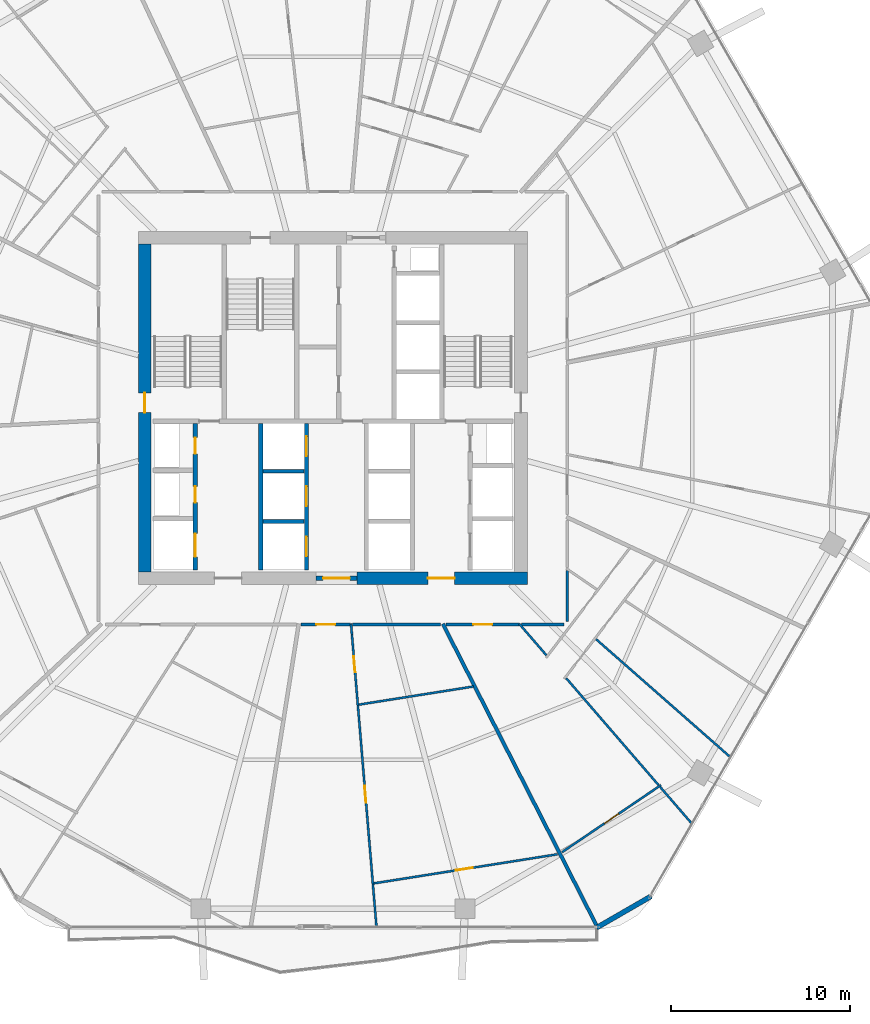
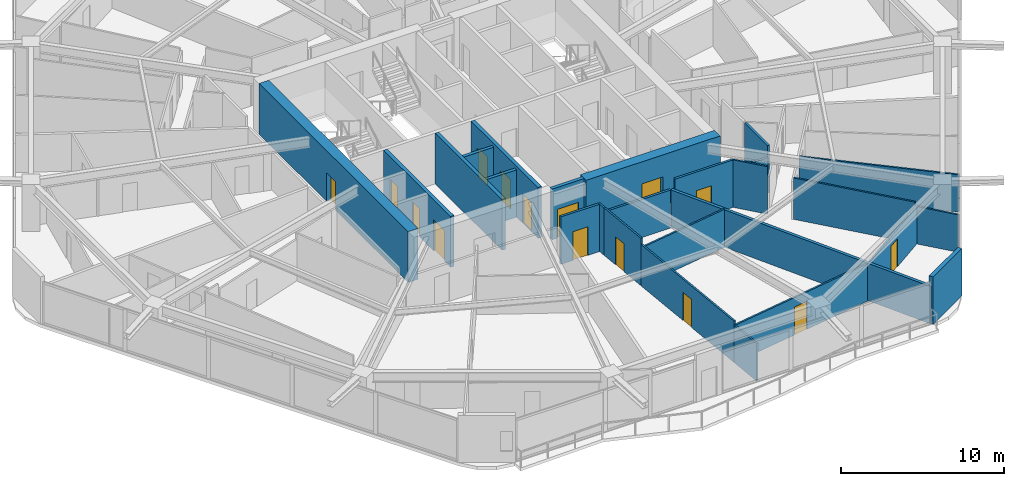
# One storey, part 25 of 33: 26 walls, 15 doors, 15 openings.
"""IFC4 building model written with IfcOpenShell, lengths in metres."""

from ifc_helpers import new_model, si_unit, direction, frame, frame_2d, origin, place, context, subcontext, project, spatial, rectangle, extrude, material, layer, layer_set, type_object, element, fill, save


model = new_model("IFC4")

# Units and contexts
model_context = context("Model", 3, precision=1e-05, world=origin(), true_north=direction((0.0, 1.0)))
body_context = subcontext(model_context, "Body", "Model", "MODEL_VIEW")
ifc_project = project(units=[si_unit("LENGTHUNIT", "METRE"), si_unit("AREAUNIT", "SQUARE_METRE"), si_unit("VOLUMEUNIT", "CUBIC_METRE"), si_unit("PLANEANGLEUNIT", "RADIAN"), si_unit("MASSUNIT", "GRAM", prefix="KILO")], contexts=[model_context])

# Site, building, storey
site_placement = place(None, origin())
site = spatial("IfcSite", under=ifc_project, at=site_placement, CompositionType="ELEMENT")
building_placement = place(site_placement, origin())
building = spatial("IfcBuilding", under=site, at=building_placement, Name="Zuhravey Tower", CompositionType="ELEMENT")
storey_placement = place(building_placement, frame((0.0, 0.0, 126.60009765625)))
storey = spatial("IfcBuildingStorey", under=building, at=storey_placement, Name="L31", CompositionType="ELEMENT", Elevation=126.60009765625)

# Wall, opening, door
ifc_material_1 = material(Name="Concrete C60/75", Category="concrete")
ifc_layer_1 = layer(ifc_material_1, 0.699951171875)
ifc_layer_set_1 = layer_set([ifc_layer_1], Name="Concrete C60/75")
wall_type_1 = type_object("IfcWallType", Name="Core Shear Wall 700", PredefinedType="SHEAR", material=ifc_layer_set_1)
wall_1_placement = place(storey_placement, frame((37.35009765625, 22.5, 0.0), z_axis=(0.0, 0.0, 1.0), x_axis=(1.0, 0.0, 0.0)))
wall_1 = element("IfcWall", 1, at=wall_1_placement, inside=storey, type_object=wall_type_1, Name="L31 South-East Core Shear Wall CW70", PredefinedType="SHEAR", context=body_context, shape_type="SweptSolid", body=[
    extrude(rectangle(XDim=9.5, YDim=0.699951171875, at=frame_2d((4.75, 0.0))), origin(), (0.0, 0.0, 1.0), 3.7998046875),
])
opening_1_placement = place(wall_1_placement, frame((3.949951171875, 0.0, 0.0)))
opening_1 = element("IfcOpeningElement", 2, at=opening_1_placement, cuts=wall_1, Name="Opening FFD1", PredefinedType="OPENING", context=body_context, shape_type="SweptSolid", body=[
    extrude(rectangle(XDim=1.5, YDim=2.14990234375, at=frame_2d((0.75, 1.074951171875))), frame((0.0, 0.362060546875, 0.0), z_axis=(0.0, -1.0, 0.0), x_axis=(1.0, 0.0, 0.0)), (0.0, 0.0, 1.0), 0.723876953125),
])
ifc_material_2 = material(Name="Galvanised fire-rated steel leaf", Category="steel")
door_type_1 = type_object("IfcDoorType", Name="Firefighting Lobby Double Door 1500x2150", OperationType="DOUBLE_DOOR_SINGLE_SWING", PredefinedType="DOOR", material=ifc_material_2)
door_1_placement = place(opening_1_placement, origin())
door_1 = element("IfcDoor", 3, at=door_1_placement, inside=storey, type_object=door_type_1, Name="L31 Firefighting Lobby East Door", OperationType="DOUBLE_DOOR_SINGLE_SWING", OverallHeight=2.14990234375, OverallWidth=1.5, PredefinedType="DOOR", context=body_context, shape_type="SweptSolid", body=[
    extrude(rectangle(XDim=1.5, YDim=2.14990234375, at=frame_2d((0.75, 1.074951171875))), frame((0.0, 0.02490234375, 0.0), z_axis=(0.0, -1.0, 0.0), x_axis=(1.0, 0.0, 0.0)), (0.0, 0.0, 1.0), 0.050048828125),
])
fill(opening_1, door_1)

wall_2_placement = place(storey_placement, frame((25.5, 22.85009765625, 0.0), z_axis=(0.0, 0.0, 1.0), x_axis=(0.0, 1.0, 0.0)))
wall_2 = element("IfcWall", 4, at=wall_2_placement, inside=storey, type_object=wall_type_1, Name="L31 West Core Shear Wall CW70", PredefinedType="SHEAR", context=body_context, shape_type="SweptSolid", body=[
    extrude(rectangle(XDim=18.2998046875, YDim=0.699951171875, at=frame_2d((9.14990234375, 0.0))), origin(), (0.0, 0.0, 1.0), 3.7998046875),
])
opening_2_placement = place(wall_2_placement, frame((8.89990234375, 0.0, 0.0)))
opening_2 = element("IfcOpeningElement", 5, at=opening_2_placement, cuts=wall_2, Name="Opening STD1", PredefinedType="OPENING", context=body_context, shape_type="SweptSolid", body=[
    extrude(rectangle(XDim=1.10009765625, YDim=2.14990234375, at=frame_2d((0.550048828125, 1.074951171875))), frame((0.0, 0.362060546875, 0.0), z_axis=(0.0, -1.0, 0.0), x_axis=(1.0, 0.0, 0.0)), (0.0, 0.0, 1.0), 0.723876953125),
])
door_type_2 = type_object("IfcDoorType", Name="Protected Stair Fire Door 1100x2150", OperationType="NOTDEFINED", PredefinedType="USERDEFINED", material=ifc_material_2)
door_2_placement = place(opening_2_placement, frame((1.10009765625, 0.0, 0.0), z_axis=(0.0, 0.0, 1.0), x_axis=(-1.0, 0.0, 0.0)))
door_2 = element("IfcDoor", 6, at=door_2_placement, inside=storey, type_object=door_type_2, Name="L31 Stair ST1 Door", ObjectType="EXITDOOR", OperationType="SINGLE_SWING_LEFT", OverallHeight=2.14990234375, OverallWidth=1.10009765625, PredefinedType="USERDEFINED", context=body_context, shape_type="SweptSolid", body=[
    extrude(rectangle(XDim=1.10009765625, YDim=2.14990234375, at=frame_2d((0.550048828125, 1.074951171875))), frame((0.0, 0.02490234375, 0.0), z_axis=(0.0, -1.0, 0.0), x_axis=(1.0, 0.0, 0.0)), (0.0, 0.0, 1.0), 0.050048828125),
])
fill(opening_2, door_2)

ifc_material_3 = material(Name="Gypsum fire-rated stud partition")
ifc_layer_2 = layer(ifc_material_3, 0.159912109375)
ifc_layer_set_2 = layer_set([ifc_layer_2], Name="Gypsum fire-rated stud partition")
wall_type_2 = type_object("IfcWallType", Name="Corridor Fire Partition 160", PredefinedType="PARTITIONING", material=ifc_layer_set_2)
wall_3_placement = place(storey_placement, frame((34.21484375, 19.919921875, 0.0), z_axis=(0.0, 0.0, 1.0), x_axis=(1.0, 0.0, 0.0)))
wall_3 = element("IfcWall", 7, at=wall_3_placement, inside=storey, type_object=wall_type_2, Name="L31 IW16 Partition 058", PredefinedType="PARTITIONING", context=body_context, shape_type="SweptSolid", body=[
    extrude(rectangle(XDim=2.779541015625, YDim=0.159912109375, at=frame_2d((1.3896484375, 0.0))), origin(), (0.0, 0.0, 1.0), 3.5498046875),
])
opening_3_placement = place(wall_3_placement, frame((0.86474609375, 0.0, 0.0)))
opening_3 = element("IfcOpeningElement", 8, at=opening_3_placement, cuts=wall_3, Name="Opening APD1", PredefinedType="OPENING", context=body_context, shape_type="SweptSolid", body=[
    extrude(rectangle(XDim=1.050048828125, YDim=2.14990234375, at=frame_2d((0.52490234375, 1.074951171875))), frame((0.0, 0.092041015625, 0.0), z_axis=(0.0, -1.0, 0.0), x_axis=(1.0, 0.0, 0.0)), (0.0, 0.0, 1.0), 0.183837890625),
])
ifc_material_4 = material(Name="Solid-core oak fire-rated leaf")
door_type_3 = type_object("IfcDoorType", Name="Apartment Entrance Fire Door 1050x2150", OperationType="NOTDEFINED", PredefinedType="DOOR", material=ifc_material_4)
door_3_placement = place(opening_3_placement, frame((1.050048828125, 0.0, 0.0), z_axis=(0.0, 0.0, 1.0), x_axis=(-1.0, 0.0, 0.0)))
door_3 = element("IfcDoor", 9, at=door_3_placement, inside=storey, type_object=door_type_3, Name="L31 Door 058.1", OperationType="SINGLE_SWING_RIGHT", OverallHeight=2.14990234375, OverallWidth=1.050048828125, PredefinedType="DOOR", context=body_context, shape_type="SweptSolid", body=[
    extrude(rectangle(XDim=1.050048828125, YDim=2.14990234375, at=frame_2d((0.52490234375, 1.074951171875))), frame((0.0, 0.02490234375, 0.0), z_axis=(0.0, -1.0, 0.0), x_axis=(1.0, 0.0, 0.0)), (0.0, 0.0, 1.0), 0.050048828125),
])
fill(opening_3, door_3)

wall_4_placement = place(storey_placement, frame((42.31103515625, 19.919921875, 0.0), z_axis=(0.0, 0.0, 1.0), x_axis=(1.0, 0.0, 0.0)))
wall_4 = element("IfcWall", 10, at=wall_4_placement, inside=storey, type_object=wall_type_2, Name="L31 IW16 Partition 062", PredefinedType="PARTITIONING", context=body_context, shape_type="SweptSolid", body=[
    extrude(rectangle(XDim=4.09716796875, YDim=0.159912109375, at=frame_2d((2.048583984375, 0.0))), origin(), (0.0, 0.0, 1.0), 3.5498046875),
])
opening_4_placement = place(wall_4_placement, frame((1.5234375, 0.0, 0.0)))
opening_4 = element("IfcOpeningElement", 11, at=opening_4_placement, cuts=wall_4, Name="Opening APD1", PredefinedType="OPENING", context=body_context, shape_type="SweptSolid", body=[
    extrude(rectangle(XDim=1.050048828125, YDim=2.14990234375, at=frame_2d((0.52490234375, 1.074951171875))), frame((0.0, 0.092041015625, 0.0), z_axis=(0.0, -1.0, 0.0), x_axis=(1.0, 0.0, 0.0)), (0.0, 0.0, 1.0), 0.183837890625),
])
door_4_placement = place(opening_4_placement, frame((1.050048828125, 0.0, 0.0), z_axis=(0.0, 0.0, 1.0), x_axis=(-1.0, 0.0, 0.0)))
door_4 = element("IfcDoor", 12, at=door_4_placement, inside=storey, type_object=door_type_3, Name="L31 Door 062.1", OperationType="SINGLE_SWING_LEFT", OverallHeight=2.14990234375, OverallWidth=1.050048828125, PredefinedType="DOOR", context=body_context, shape_type="SweptSolid", body=[
    extrude(rectangle(XDim=1.050048828125, YDim=2.14990234375, at=frame_2d((0.52490234375, 1.074951171875))), frame((0.0, 0.02490234375, 0.0), z_axis=(0.0, -1.0, 0.0), x_axis=(1.0, 0.0, 0.0)), (0.0, 0.0, 1.0), 0.050048828125),
])
fill(opening_4, door_4)

# Walls
wall_5_placement = place(storey_placement, frame((37.08251953125, 19.919921875, 0.0), z_axis=(0.0, 0.0, 1.0), x_axis=(1.0, 0.0, 0.0)))
element("IfcWall", 13, at=wall_5_placement, inside=storey, type_object=wall_type_2, Name="L31 IW16 Partition 139", PredefinedType="PARTITIONING", context=body_context, shape_type="SweptSolid", body=[
    extrude(rectangle(XDim=4.91796875, YDim=0.159912109375, at=frame_2d((2.458984375, 0.0))), origin(), (0.0, 0.0, 1.0), 2.849853515625),
])
wall_6_placement = place(storey_placement, frame((49.080078125, 20.10009765625, 0.0), z_axis=(0.0, 0.0, 1.0), x_axis=(0.0, 1.0, 0.0)))
element("IfcWall", 14, at=wall_6_placement, inside=storey, type_object=wall_type_2, Name="L31 IW16 Partition 140", PredefinedType="PARTITIONING", context=body_context, shape_type="SweptSolid", body=[
    extrude(rectangle(XDim=2.828369140625, YDim=0.159912109375, at=frame_2d((1.4140625, 0.0))), origin(), (0.0, 0.0, 1.0), 3.5498046875),
])
wall_7_placement = place(storey_placement, frame((46.5244140625, 19.919921875, 0.0), z_axis=(0.0, 0.0, 1.0), x_axis=(1.0, 0.0, 0.0)))
element("IfcWall", 15, at=wall_7_placement, inside=storey, type_object=wall_type_2, Name="L31 IW16 Partition 141", PredefinedType="PARTITIONING", context=body_context, shape_type="SweptSolid", body=[
    extrude(rectangle(XDim=2.37548828125, YDim=0.159912109375, at=frame_2d((1.187744140625, 0.0))), origin(), (0.0, 0.0, 1.0), 2.849853515625),
])
ifc_material_5 = material(Name="Precast concrete C40/50", Category="concrete")
ifc_layer_3 = layer(ifc_material_5, 0.280029296875)
ifc_layer_set_3 = layer_set([ifc_layer_3], Name="Precast concrete C40/50")
wall_type_3 = type_object("IfcWallType", Name="Crown Architectural Wall 280", PredefinedType="SOLIDWALL", material=ifc_layer_set_3)
wall_8_placement = place(storey_placement, frame((53.76123046875, 4.75146484375, 0.0), z_axis=(0.0, 0.0, 1.0), x_axis=(-0.866007452331, -0.500031091541, 0.0)))
element("IfcWall", 16, at=wall_8_placement, inside=storey, type_object=wall_type_3, Name="L31 Rounded Corner Closure Wall EW28-02", PredefinedType="SOLIDWALL", context=body_context, shape_type="SweptSolid", body=[
    extrude(rectangle(XDim=3.514892578125, YDim=0.280029296875, at=frame_2d((1.75732421875, 0.0))), origin(), (0.0, 0.0, 1.0), 3.5498046875),
])

# Wall, opening, door
ifc_material_6 = material(Name="Concrete C50/60", Category="concrete")
ifc_layer_4 = layer(ifc_material_6, 0.25)
ifc_layer_set_4 = layer_set([ifc_layer_4], Name="Concrete C50/60")
wall_type_4 = type_object("IfcWallType", Name="Firefighting Shaft & Stair Wall 250", PredefinedType="SOLIDWALL", material=ifc_layer_set_4)
wall_9_placement = place(storey_placement, frame((35.06005859375, 22.5, 0.0), z_axis=(0.0, 0.0, 1.0), x_axis=(1.0, 0.0, 0.0)))
wall_9 = element("IfcWall", 17, at=wall_9_placement, inside=storey, type_object=wall_type_4, Name="L31 FW25 Shaft Wall 001", PredefinedType="SOLIDWALL", context=body_context, shape_type="SweptSolid", body=[
    extrude(rectangle(XDim=2.280029296875, YDim=0.25, at=frame_2d((1.14013671875, 0.0))), origin(), (0.0, 0.0, 1.0), 3.7998046875),
])
opening_5_placement = place(wall_9_placement, frame((0.389892578125, 0.0, 0.0)))
opening_5 = element("IfcOpeningElement", 18, at=opening_5_placement, cuts=wall_9, Name="Opening FFD1", PredefinedType="OPENING", context=body_context, shape_type="SweptSolid", body=[
    extrude(rectangle(XDim=1.5, YDim=2.14990234375, at=frame_2d((0.75, 1.074951171875))), frame((0.0, 0.136962890625, 0.0), z_axis=(0.0, -1.0, 0.0), x_axis=(1.0, 0.0, 0.0)), (0.0, 0.0, 1.0), 0.27392578125),
])
door_5_placement = place(opening_5_placement, frame((1.5, 0.0, 0.0), z_axis=(0.0, 0.0, 1.0), x_axis=(-1.0, 0.0, 0.0)))
door_5 = element("IfcDoor", 19, at=door_5_placement, inside=storey, type_object=door_type_1, Name="L31 South Lift Lobby Exit Door", OperationType="DOUBLE_DOOR_SINGLE_SWING", OverallHeight=2.14990234375, OverallWidth=1.5, PredefinedType="DOOR", context=body_context, shape_type="SweptSolid", body=[
    extrude(rectangle(XDim=1.5, YDim=2.14990234375, at=frame_2d((0.75, 1.074951171875))), frame((0.0, 0.02490234375, 0.0), z_axis=(0.0, -1.0, 0.0), x_axis=(1.0, 0.0, 0.0)), (0.0, 0.0, 1.0), 0.050048828125),
])
fill(opening_5, door_5)

# Wall, openings, doors
wall_10_placement = place(storey_placement, frame((28.324951171875, 22.949951171875, 0.0), z_axis=(0.0, 0.0, 1.0), x_axis=(0.0, 1.0, 0.0)))
wall_10 = element("IfcWall", 20, at=wall_10_placement, inside=storey, type_object=wall_type_4, Name="L31 FW25 Shaft Wall 011", PredefinedType="SOLIDWALL", context=body_context, shape_type="SweptSolid", body=[
    extrude(rectangle(XDim=8.199951171875, YDim=0.25, at=frame_2d((4.10009765625, 0.0))), origin(), (0.0, 0.0, 1.0), 3.7998046875),
])
opening_6_placement = place(wall_10_placement, frame((0.75, 0.0, 0.0)))
opening_6 = element("IfcOpeningElement", 21, at=opening_6_placement, cuts=wall_10, Name="Opening LD2", PredefinedType="OPENING", context=body_context, shape_type="SweptSolid", body=[
    extrude(rectangle(XDim=1.300048828125, YDim=2.300048828125, at=frame_2d((0.64990234375, 1.14990234375))), frame((0.0, 0.136962890625, 0.0), z_axis=(0.0, -1.0, 0.0), x_axis=(1.0, 0.0, 0.0)), (0.0, 0.0, 1.0), 0.27392578125),
])
opening_7_placement = place(wall_10_placement, frame((3.780029296875, 0.0, 0.0)))
opening_7 = element("IfcOpeningElement", 22, at=opening_7_placement, cuts=wall_10, Name="Opening RSD1", PredefinedType="OPENING", context=body_context, shape_type="SweptSolid", body=[
    extrude(rectangle(XDim=0.89990234375, YDim=2.10009765625, at=frame_2d((0.449951171875, 1.050048828125))), frame((0.0, 0.136962890625, 0.0), z_axis=(0.0, -1.0, 0.0), x_axis=(1.0, 0.0, 0.0)), (0.0, 0.0, 1.0), 0.27392578125),
])
opening_8_placement = place(wall_10_placement, frame((6.5, 0.0, 0.0)))
opening_8 = element("IfcOpeningElement", 23, at=opening_8_placement, cuts=wall_10, Name="Opening RSD1", PredefinedType="OPENING", context=body_context, shape_type="SweptSolid", body=[
    extrude(rectangle(XDim=0.89990234375, YDim=2.10009765625, at=frame_2d((0.449951171875, 1.050048828125))), frame((0.0, 0.136962890625, 0.0), z_axis=(0.0, -1.0, 0.0), x_axis=(1.0, 0.0, 0.0)), (0.0, 0.0, 1.0), 0.27392578125),
])
ifc_material_7 = material(Name="Brushed stainless steel", Category="steel")
door_type_4 = type_object("IfcDoorType", Name="Freight & Stretcher Lift Sliding Door 1300x2300", OperationType="DOUBLE_DOOR_SLIDING", PredefinedType="DOOR", material=ifc_material_7)
door_6_placement = place(opening_6_placement, frame((1.300048828125, 0.0, 0.0), z_axis=(0.0, 0.0, 1.0), x_axis=(-1.0, 0.0, 0.0)))
door_6 = element("IfcDoor", 24, at=door_6_placement, inside=storey, type_object=door_type_4, Name="L31 Lift FF1 Landing Door", OperationType="DOUBLE_DOOR_SLIDING", OverallHeight=2.300048828125, OverallWidth=1.300048828125, PredefinedType="DOOR", context=body_context, shape_type="SweptSolid", body=[
    extrude(rectangle(XDim=1.300048828125, YDim=2.300048828125, at=frame_2d((0.64990234375, 1.14990234375))), frame((0.0, 0.02490234375, 0.0), z_axis=(0.0, -1.0, 0.0), x_axis=(1.0, 0.0, 0.0)), (0.0, 0.0, 1.0), 0.050048828125),
])
fill(opening_6, door_6)
ifc_material_8 = material(Name="Galvanised fire-rated steel access leaf", Category="steel")
door_type_5 = type_object("IfcDoorType", Name="Riser & Shaft Access Fire Door 900x2100", OperationType="NOTDEFINED", PredefinedType="DOOR", material=ifc_material_8)
door_7_placement = place(opening_7_placement, frame((0.89990234375, 0.0, 0.0), z_axis=(0.0, 0.0, 1.0), x_axis=(-1.0, 0.0, 0.0)))
door_7 = element("IfcDoor", 25, at=door_7_placement, inside=storey, type_object=door_type_5, Name="L31 Electrical Riser Door", OperationType="SINGLE_SWING_RIGHT", OverallHeight=2.10009765625, OverallWidth=0.89990234375, PredefinedType="DOOR", context=body_context, shape_type="SweptSolid", body=[
    extrude(rectangle(XDim=0.89990234375, YDim=2.10009765625, at=frame_2d((0.449951171875, 1.050048828125))), frame((0.0, 0.02490234375, 0.0), z_axis=(0.0, -1.0, 0.0), x_axis=(1.0, 0.0, 0.0)), (0.0, 0.0, 1.0), 0.050048828125),
])
fill(opening_7, door_7)
door_8_placement = place(opening_8_placement, frame((0.89990234375, 0.0, 0.0), z_axis=(0.0, 0.0, 1.0), x_axis=(-1.0, 0.0, 0.0)))
door_8 = element("IfcDoor", 26, at=door_8_placement, inside=storey, type_object=door_type_5, Name="L31 Smoke Shaft Access Door", OperationType="SINGLE_SWING_LEFT", OverallHeight=2.10009765625, OverallWidth=0.89990234375, PredefinedType="DOOR", context=body_context, shape_type="SweptSolid", body=[
    extrude(rectangle(XDim=0.89990234375, YDim=2.10009765625, at=frame_2d((0.449951171875, 1.050048828125))), frame((0.0, 0.02490234375, 0.0), z_axis=(0.0, -1.0, 0.0), x_axis=(1.0, 0.0, 0.0)), (0.0, 0.0, 1.0), 0.050048828125),
])
fill(opening_8, door_8)

# Wall
wall_11_placement = place(storey_placement, frame((31.97509765625, 22.949951171875, 0.0), z_axis=(0.0, 0.0, 1.0), x_axis=(0.0, 1.0, 0.0)))
element("IfcWall", 27, at=wall_11_placement, inside=storey, type_object=wall_type_4, Name="L31 FW25 Shaft Wall 012", PredefinedType="SOLIDWALL", context=body_context, shape_type="SweptSolid", body=[
    extrude(rectangle(XDim=8.199951171875, YDim=0.25, at=frame_2d((4.10009765625, 0.0))), origin(), (0.0, 0.0, 1.0), 3.7998046875),
])

# Wall, openings, doors
wall_12_placement = place(storey_placement, frame((34.52490234375, 22.949951171875, 0.0), z_axis=(0.0, 0.0, 1.0), x_axis=(0.0, 1.0, 0.0)))
wall_12 = element("IfcWall", 28, at=wall_12_placement, inside=storey, type_object=wall_type_4, Name="L31 FW25 Shaft Wall 013", PredefinedType="SOLIDWALL", context=body_context, shape_type="SweptSolid", body=[
    extrude(rectangle(XDim=8.199951171875, YDim=0.25, at=frame_2d((4.10009765625, 0.0))), origin(), (0.0, 0.0, 1.0), 3.7998046875),
])
opening_9_placement = place(wall_12_placement, frame((0.77490234375, 0.0, 0.0)))
opening_9 = element("IfcOpeningElement", 29, at=opening_9_placement, cuts=wall_12, Name="Opening LD1", PredefinedType="OPENING", context=body_context, shape_type="SweptSolid", body=[
    extrude(rectangle(XDim=1.10009765625, YDim=2.199951171875, at=frame_2d((0.550048828125, 1.10009765625))), frame((0.0, 0.136962890625, 0.0), z_axis=(0.0, -1.0, 0.0), x_axis=(1.0, 0.0, 0.0)), (0.0, 0.0, 1.0), 0.27392578125),
])
opening_10_placement = place(wall_12_placement, frame((3.574951171875, 0.0, 0.0)))
opening_10 = element("IfcOpeningElement", 30, at=opening_10_placement, cuts=wall_12, Name="Opening LD1", PredefinedType="OPENING", context=body_context, shape_type="SweptSolid", body=[
    extrude(rectangle(XDim=1.10009765625, YDim=2.199951171875, at=frame_2d((0.550048828125, 1.10009765625))), frame((0.0, 0.136962890625, 0.0), z_axis=(0.0, -1.0, 0.0), x_axis=(1.0, 0.0, 0.0)), (0.0, 0.0, 1.0), 0.27392578125),
])
opening_11_placement = place(wall_12_placement, frame((6.375, 0.0, 0.0)))
opening_11 = element("IfcOpeningElement", 31, at=opening_11_placement, cuts=wall_12, Name="Opening LD1", PredefinedType="OPENING", context=body_context, shape_type="SweptSolid", body=[
    extrude(rectangle(XDim=1.10009765625, YDim=2.199951171875, at=frame_2d((0.550048828125, 1.10009765625))), frame((0.0, 0.136962890625, 0.0), z_axis=(0.0, -1.0, 0.0), x_axis=(1.0, 0.0, 0.0)), (0.0, 0.0, 1.0), 0.27392578125),
])
door_type_6 = type_object("IfcDoorType", Name="Lift Landing Sliding Door 1100x2200", OperationType="DOUBLE_DOOR_SLIDING", PredefinedType="DOOR", material=ifc_material_7)
door_9_placement = place(opening_9_placement, frame((1.10009765625, 0.0, 0.0), z_axis=(0.0, 0.0, 1.0), x_axis=(-1.0, 0.0, 0.0)))
door_9 = element("IfcDoor", 32, at=door_9_placement, inside=storey, type_object=door_type_6, Name="L31 Lift PL1 Landing Door", OperationType="DOUBLE_DOOR_SLIDING", OverallHeight=2.199951171875, OverallWidth=1.10009765625, PredefinedType="DOOR", context=body_context, shape_type="SweptSolid", body=[
    extrude(rectangle(XDim=1.10009765625, YDim=2.199951171875, at=frame_2d((0.550048828125, 1.10009765625))), frame((0.0, 0.02490234375, 0.0), z_axis=(0.0, -1.0, 0.0), x_axis=(1.0, 0.0, 0.0)), (0.0, 0.0, 1.0), 0.050048828125),
])
fill(opening_9, door_9)
door_10_placement = place(opening_10_placement, frame((1.10009765625, 0.0, 0.0), z_axis=(0.0, 0.0, 1.0), x_axis=(-1.0, 0.0, 0.0)))
door_10 = element("IfcDoor", 33, at=door_10_placement, inside=storey, type_object=door_type_6, Name="L31 Lift PL2 Landing Door", OperationType="DOUBLE_DOOR_SLIDING", OverallHeight=2.199951171875, OverallWidth=1.10009765625, PredefinedType="DOOR", context=body_context, shape_type="SweptSolid", body=[
    extrude(rectangle(XDim=1.10009765625, YDim=2.199951171875, at=frame_2d((0.550048828125, 1.10009765625))), frame((0.0, 0.02490234375, 0.0), z_axis=(0.0, -1.0, 0.0), x_axis=(1.0, 0.0, 0.0)), (0.0, 0.0, 1.0), 0.050048828125),
])
fill(opening_10, door_10)
door_11_placement = place(opening_11_placement, frame((1.10009765625, 0.0, 0.0), z_axis=(0.0, 0.0, 1.0), x_axis=(-1.0, 0.0, 0.0)))
door_11 = element("IfcDoor", 34, at=door_11_placement, inside=storey, type_object=door_type_6, Name="L31 Lift PL3 Landing Door", OperationType="DOUBLE_DOOR_SLIDING", OverallHeight=2.199951171875, OverallWidth=1.10009765625, PredefinedType="DOOR", context=body_context, shape_type="SweptSolid", body=[
    extrude(rectangle(XDim=1.10009765625, YDim=2.199951171875, at=frame_2d((0.550048828125, 1.10009765625))), frame((0.0, 0.02490234375, 0.0), z_axis=(0.0, -1.0, 0.0), x_axis=(1.0, 0.0, 0.0)), (0.0, 0.0, 1.0), 0.050048828125),
])
fill(opening_11, door_11)

# Walls
ifc_material_9 = material(Name="Gypsum double-stud party assembly")
ifc_layer_5 = layer(ifc_material_9, 0.199951171875)
ifc_layer_set_5 = layer_set([ifc_layer_5], Name="Gypsum double-stud party assembly")
wall_type_5 = type_object("IfcWallType", Name="Inter-Tenancy Party Wall 200", PredefinedType="PARTITIONING", material=ifc_layer_set_5)
wall_13_placement = place(storey_placement, frame((42.134765625, 19.9599609375, 0.0), z_axis=(0.0, 0.0, 1.0), x_axis=(0.453989534113, -0.891007016199, 0.0)))
element("IfcWall", 35, at=wall_13_placement, inside=storey, type_object=wall_type_5, Name="L31 IW20 Partition 117", PredefinedType="PARTITIONING", context=body_context, shape_type="SweptSolid", body=[
    extrude(rectangle(XDim=18.988037109375, YDim=0.199951171875, at=frame_2d((9.494140625, 0.0))), origin(), (0.0, 0.0, 1.0), 2.7998046875),
])
ifc_material_10 = material(Name="Gypsum acoustic stud assembly")
ifc_layer_6 = layer(ifc_material_10, 0.219970703125)
ifc_layer_set_6 = layer_set([ifc_layer_6], Name="Gypsum acoustic stud assembly")
wall_type_6 = type_object("IfcWallType", Name="School Acoustic Compartment Wall 220", PredefinedType="PARTITIONING", material=ifc_layer_set_6)
for number, where, z_axis, x_axis, name in (
    (36, (32.10791015625, 25.675048828125, 0.0), (0.0, 0.0, 1.0), (1.0, 0.0, 0.0), "L31 IW22 Partition 071"),
    (37, (32.10791015625, 28.47509765625, 0.0), (0.0, 0.0, 1.0), (1.0, 0.0, 0.0), "L31 IW22 Partition 072"),
):
    element("IfcWall", number, at=place(storey_placement, frame(where, z_axis=z_axis, x_axis=x_axis)), inside=storey, type_object=wall_type_6, Name=name, PredefinedType="PARTITIONING", context=body_context, shape_type="SweptSolid", body=[
        extrude(rectangle(XDim=2.2841796875, YDim=0.219970703125, at=frame_2d((1.14208984375, 0.0))), origin(), (0.0, 0.0, 1.0), 3.5498046875),
    ])

# Wall, opening, door
ifc_material_11 = material(Name="Gypsum metal-stud partition")
ifc_layer_7 = layer(ifc_material_11, 0.1201171875)
ifc_layer_set_7 = layer_set([ifc_layer_7], Name="Gypsum metal-stud partition")
wall_type_7 = type_object("IfcWallType", Name="Unit Internal Partition 120", PredefinedType="PARTITIONING", material=ifc_layer_set_7)
wall_14_placement = place(storey_placement, frame((37.062255859375, 19.35009765625, 0.0), z_axis=(0.0, 0.0, 1.0), x_axis=(0.083695140781, -0.996491406591, 0.0)))
wall_14 = element("IfcWall", 38, at=wall_14_placement, inside=storey, type_object=wall_type_7, Name="L31 IW12 Partition 055", PredefinedType="PARTITIONING", context=body_context, shape_type="SweptSolid", body=[
    extrude(rectangle(XDim=3.94970703125, YDim=0.1201171875, at=frame_2d((1.974853515625, 0.0))), origin(), (0.0, 0.0, 1.0), 3.5498046875),
])
opening_12_placement = place(wall_14_placement, frame((1.208984375, 0.0, 0.0)))
opening_12 = element("IfcOpeningElement", 39, at=opening_12_placement, cuts=wall_14, Name="Opening WCD1", PredefinedType="OPENING", context=body_context, shape_type="SweptSolid", body=[
    extrude(rectangle(XDim=0.89990234375, YDim=2.10009765625, at=frame_2d((0.449951171875, 1.050048828125))), frame((0.0, 0.072021484375, 0.0), z_axis=(0.0, -1.0, 0.0), x_axis=(1.0, 0.0, 0.0)), (0.0, 0.0, 1.0), 0.14404296875),
])
ifc_material_12 = material(Name="Moisture-resistant timber leaf", Category="wood")
door_type_7 = type_object("IfcDoorType", Name="Bathroom & WC Internal Door 900x2100", OperationType="NOTDEFINED", PredefinedType="DOOR", material=ifc_material_12)
door_12_placement = place(opening_12_placement, origin())
door_12 = element("IfcDoor", 40, at=door_12_placement, inside=storey, type_object=door_type_7, Name="Apartment L31-08 Bathroom Door", OperationType="SINGLE_SWING_LEFT", OverallHeight=2.10009765625, OverallWidth=0.89990234375, PredefinedType="DOOR", context=body_context, shape_type="SweptSolid", body=[
    extrude(rectangle(XDim=0.89990234375, YDim=2.10009765625, at=frame_2d((0.449951171875, 1.050048828125))), frame((0.0, 0.02490234375, 0.0), z_axis=(0.0, -1.0, 0.0), x_axis=(1.0, 0.0, 0.0)), (0.0, 0.0, 1.0), 0.050048828125),
])
fill(opening_12, door_12)

wall_15_placement = place(storey_placement, frame((37.392822265625, 15.414306640625, 0.0), z_axis=(0.0, 0.0, 1.0), x_axis=(0.083660945701, -0.996494278039, 0.0)))
wall_15 = element("IfcWall", 41, at=wall_15_placement, inside=storey, type_object=wall_type_7, Name="L31 IW12 Partition 056", PredefinedType="PARTITIONING", context=body_context, shape_type="SweptSolid", body=[
    extrude(rectangle(XDim=10.012451171875, YDim=0.1201171875, at=frame_2d((5.00634765625, 0.0))), origin(), (0.0, 0.0, 1.0), 3.099853515625),
])
opening_13_placement = place(wall_15_placement, frame((4.506103515625, 0.0, 0.0)))
opening_13 = element("IfcOpeningElement", 42, at=opening_13_placement, cuts=wall_15, Name="Opening IND1", PredefinedType="OPENING", context=body_context, shape_type="SweptSolid", body=[
    extrude(rectangle(XDim=0.949951171875, YDim=2.10009765625, at=frame_2d((0.47509765625, 1.050048828125))), frame((0.0, 0.072021484375, 0.0), z_axis=(0.0, -1.0, 0.0), x_axis=(1.0, 0.0, 0.0)), (0.0, 0.0, 1.0), 0.14404296875),
])
ifc_material_13 = material(Name="Painted engineered timber leaf", Category="wood")
door_type_8 = type_object("IfcDoorType", Name="Internal Room & Bedroom Door 950x2100", OperationType="NOTDEFINED", PredefinedType="DOOR", material=ifc_material_13)
door_13_placement = place(opening_13_placement, origin())
door_13 = element("IfcDoor", 43, at=door_13_placement, inside=storey, type_object=door_type_8, Name="Apartment L31-08 Home Office Door", OperationType="SINGLE_SWING_RIGHT", OverallHeight=2.10009765625, OverallWidth=0.949951171875, PredefinedType="DOOR", context=body_context, shape_type="SweptSolid", body=[
    extrude(rectangle(XDim=0.949951171875, YDim=2.10009765625, at=frame_2d((0.47509765625, 1.050048828125))), frame((0.0, 0.02490234375, 0.0), z_axis=(0.0, -1.0, 0.0), x_axis=(1.0, 0.0, 0.0)), (0.0, 0.0, 1.0), 0.050048828125),
])
fill(opening_13, door_13)

wall_16_placement = place(storey_placement, frame((38.2958984375, 5.47265625, 0.0), z_axis=(0.0, 0.0, 1.0), x_axis=(0.987688342725, 0.156434451591, 0.0)))
wall_16 = element("IfcWall", 44, at=wall_16_placement, inside=storey, type_object=wall_type_7, Name="L31 IW12 Partition 057", PredefinedType="PARTITIONING", context=body_context, shape_type="SweptSolid", body=[
    extrude(rectangle(XDim=10.361328125, YDim=0.1201171875, at=frame_2d((5.1806640625, 0.0))), origin(), (0.0, 0.0, 1.0), 2.7998046875),
])
opening_14_placement = place(wall_16_placement, frame((4.62158203125, 0.0, 0.0)))
opening_14 = element("IfcOpeningElement", 45, at=opening_14_placement, cuts=wall_16, Name="Opening IND1", PredefinedType="OPENING", context=body_context, shape_type="SweptSolid", body=[
    extrude(rectangle(XDim=0.949951171875, YDim=2.10009765625, at=frame_2d((0.47509765625, 1.050048828125))), frame((0.0, 0.072021484375, 0.0), z_axis=(0.0, -1.0, 0.0), x_axis=(1.0, 0.0, 0.0)), (0.0, 0.0, 1.0), 0.14404296875),
])
door_14_placement = place(opening_14_placement, frame((0.949951171875, 0.0, 0.0), z_axis=(0.0, 0.0, 1.0), x_axis=(-1.0, 0.0, 0.0)))
door_14 = element("IfcDoor", 46, at=door_14_placement, inside=storey, type_object=door_type_8, Name="Apartment L31-08 Bedroom 1 Door", OperationType="SINGLE_SWING_LEFT", OverallHeight=2.10009765625, OverallWidth=0.949951171875, PredefinedType="DOOR", context=body_context, shape_type="SweptSolid", body=[
    extrude(rectangle(XDim=0.949951171875, YDim=2.10009765625, at=frame_2d((0.47509765625, 1.050048828125))), frame((0.0, 0.02490234375, 0.0), z_axis=(0.0, -1.0, 0.0), x_axis=(1.0, 0.0, 0.0)), (0.0, 0.0, 1.0), 0.050048828125),
])
fill(opening_14, door_14)

wall_17_placement = place(storey_placement, frame((48.791015625, 7.21240234375, 0.0), z_axis=(0.0, 0.0, 1.0), x_axis=(0.82746544618, 0.561516638559, 0.0)))
wall_17 = element("IfcWall", 47, at=wall_17_placement, inside=storey, type_object=wall_type_7, Name="L31 IW12 Partition 059", PredefinedType="PARTITIONING", context=body_context, shape_type="SweptSolid", body=[
    extrude(rectangle(XDim=6.66845703125, YDim=0.1201171875, at=frame_2d((3.334228515625, 0.0))), origin(), (0.0, 0.0, 1.0), 2.7998046875),
])
opening_15_placement = place(wall_17_placement, frame((2.859130859375, 0.0, 0.0)))
opening_15 = element("IfcOpeningElement", 48, at=opening_15_placement, cuts=wall_17, Name="Opening IND1", PredefinedType="OPENING", context=body_context, shape_type="SweptSolid", body=[
    extrude(rectangle(XDim=0.949951171875, YDim=2.10009765625, at=frame_2d((0.47509765625, 1.050048828125))), frame((0.0, 0.072021484375, 0.0), z_axis=(0.0, -1.0, 0.0), x_axis=(1.0, 0.0, 0.0)), (0.0, 0.0, 1.0), 0.14404296875),
])
door_15_placement = place(opening_15_placement, frame((0.949951171875, 0.0, 0.0), z_axis=(0.0, 0.0, 1.0), x_axis=(-1.0, 0.0, 0.0)))
door_15 = element("IfcDoor", 49, at=door_15_placement, inside=storey, type_object=door_type_8, Name="Apartment L31-09 Family Study Door", OperationType="SINGLE_SWING_LEFT", OverallHeight=2.10009765625, OverallWidth=0.949951171875, PredefinedType="DOOR", context=body_context, shape_type="SweptSolid", body=[
    extrude(rectangle(XDim=0.949951171875, YDim=2.10009765625, at=frame_2d((0.47509765625, 1.050048828125))), frame((0.0, 0.02490234375, 0.0), z_axis=(0.0, -1.0, 0.0), x_axis=(1.0, 0.0, 0.0)), (0.0, 0.0, 1.0), 0.050048828125),
])
fill(opening_15, door_15)

# Walls
wall_18_placement = place(storey_placement, frame((37.010498046875, 19.96484375, 0.0), z_axis=(0.0, 0.0, 1.0), x_axis=(0.083896973799, -0.996474434086, 0.0)))
element("IfcWall", 50, at=wall_18_placement, inside=storey, type_object=wall_type_7, Name="L31 IW12 Partition 114", PredefinedType="PARTITIONING", context=body_context, shape_type="SweptSolid", body=[
    extrude(rectangle(XDim=0.616943359375, YDim=0.1201171875, at=frame_2d((0.30859375, 0.0))), origin(), (0.0, 0.0, 1.0), 3.5498046875),
])
wall_19_placement = place(storey_placement, frame((38.230712890625, 5.43701171875, 0.0), z_axis=(0.0, 0.0, 1.0), x_axis=(0.083615836345, -0.996498064179, 0.0)))
element("IfcWall", 51, at=wall_19_placement, inside=storey, type_object=wall_type_7, Name="L31 IW12 Partition 115", PredefinedType="PARTITIONING", context=body_context, shape_type="SweptSolid", body=[
    extrude(rectangle(XDim=2.408935546875, YDim=0.1201171875, at=frame_2d((1.20458984375, 0.0))), origin(), (0.0, 0.0, 1.0), 2.7998046875),
])
wall_20_placement = place(storey_placement, frame((37.4580078125, 15.44970703125, 0.0), z_axis=(0.0, 0.0, 1.0), x_axis=(0.987687698578, 0.156438518521, 0.0)))
element("IfcWall", 52, at=wall_20_placement, inside=storey, type_object=wall_type_7, Name="L31 IW12 Partition 116", PredefinedType="PARTITIONING", context=body_context, shape_type="SweptSolid", body=[
    extrude(rectangle(XDim=6.479736328125, YDim=0.1201171875, at=frame_2d((3.23974609375, 0.0))), origin(), (0.0, 0.0, 1.0), 2.849853515625),
])
wall_21_placement = place(storey_placement, frame((50.687255859375, 19.102783203125, 0.0), z_axis=(0.0, 0.0, 1.0), x_axis=(0.75142693105, -0.659816313297, 0.0)))
element("IfcWall", 53, at=wall_21_placement, inside=storey, type_object=wall_type_7, Name="L31 IW12 Partition 119", PredefinedType="PARTITIONING", context=body_context, shape_type="SweptSolid", body=[
    extrude(rectangle(XDim=9.99365234375, YDim=0.1201171875, at=frame_2d((4.996826171875, 0.0))), origin(), (0.0, 0.0, 1.0), 2.7998046875),
])
wall_22_placement = place(storey_placement, frame((46.408203125, 19.95068359375, 0.0), z_axis=(0.0, 0.0, 1.0), x_axis=(0.653633631907, -0.756811122566, 0.0)))
element("IfcWall", 54, at=wall_22_placement, inside=storey, type_object=wall_type_7, Name="L31 IW12 Partition 121", PredefinedType="PARTITIONING", context=body_context, shape_type="SweptSolid", body=[
    extrude(rectangle(XDim=2.309326171875, YDim=0.1201171875, at=frame_2d((1.15478515625, 0.0))), origin(), (0.0, 0.0, 1.0), 3.5498046875),
])
wall_23_placement = place(storey_placement, frame((49.023681640625, 16.922607421875, 0.0), z_axis=(0.0, 0.0, 1.0), x_axis=(0.653686738758, -0.756765252619, 0.0)))
element("IfcWall", 55, at=wall_23_placement, inside=storey, type_object=wall_type_7, Name="L31 IW12 Partition 122", PredefinedType="PARTITIONING", context=body_context, shape_type="SweptSolid", body=[
    extrude(rectangle(XDim=7.889404296875, YDim=0.1201171875, at=frame_2d((3.94482421875, 0.0))), origin(), (0.0, 0.0, 1.0), 3.099853515625),
])
wall_24_placement = place(storey_placement, frame((54.2705078125, 10.848388671875, 0.0), z_axis=(0.0, 0.0, 1.0), x_axis=(0.653692329301, -0.756760423524, 0.0)))
element("IfcWall", 56, at=wall_24_placement, inside=storey, type_object=wall_type_7, Name="L31 IW12 Partition 123", PredefinedType="PARTITIONING", context=body_context, shape_type="SweptSolid", body=[
    extrude(rectangle(XDim=2.71923828125, YDim=0.1201171875, at=frame_2d((1.359619140625, 0.0))), origin(), (0.0, 0.0, 1.0), 2.7998046875),
])

save(model, "model.ifc")
